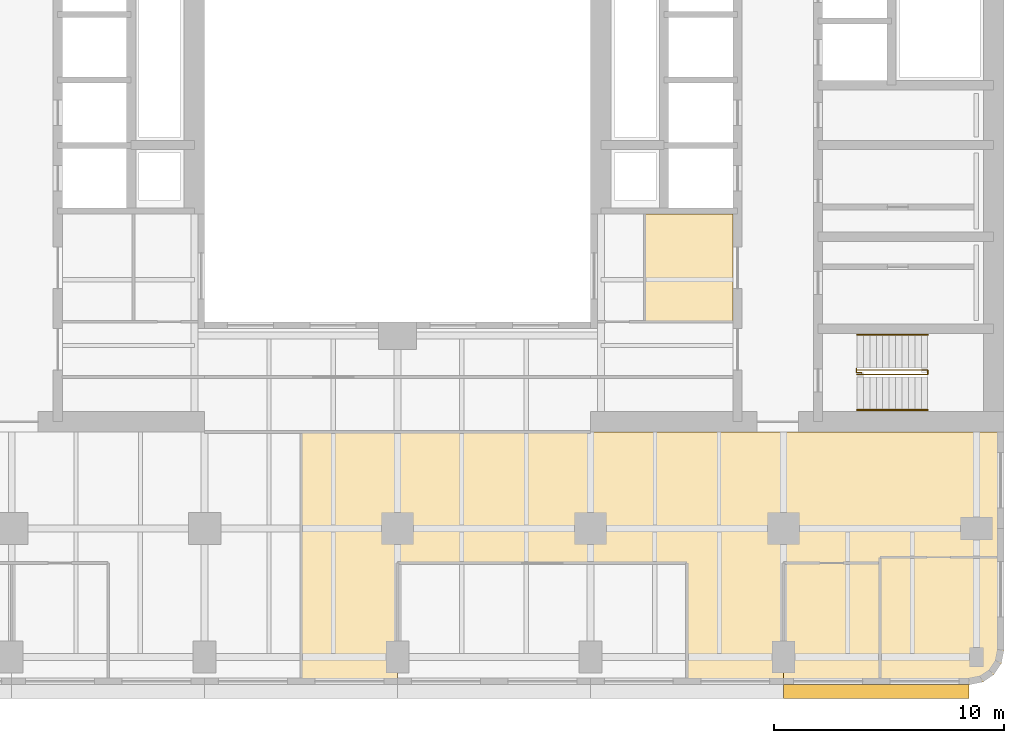
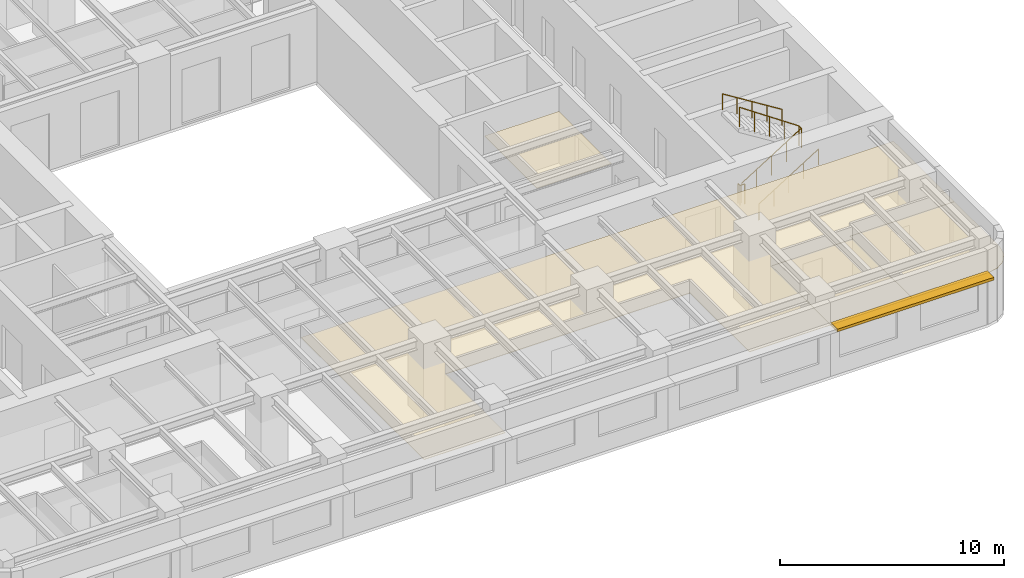
# One storey, part 10 of 11: 4 coverings, 4 railings, 1 shading device.
"""IFC4 building model written with IfcOpenShell, lengths in metres."""

from ifc_helpers import new_model, si_unit, direction, frame, origin, origin_2d, place, context, subcontext, project, spatial, polyline, rectangle, circle, outline, extrude, material, layer, layer_set, type_object, element, save


model = new_model("IFC4")

# Units and contexts
model_context = context("Model", 3, precision=1e-05, world=origin(), true_north=direction((0.0, 1.0)))
body_context = subcontext(model_context, "Body", "Model", "MODEL_VIEW")
ifc_project = project(units=[si_unit("LENGTHUNIT", "METRE"), si_unit("AREAUNIT", "SQUARE_METRE"), si_unit("VOLUMEUNIT", "CUBIC_METRE"), si_unit("PLANEANGLEUNIT", "RADIAN"), si_unit("MASSUNIT", "GRAM", prefix="KILO")], contexts=[model_context])

# Site, building, storey
site_placement = place(None, origin())
site = spatial("IfcSite", under=ifc_project, at=site_placement, CompositionType="ELEMENT")
building_placement = place(site_placement, origin())
building = spatial("IfcBuilding", under=site, at=building_placement, Name="Claustro Exchange Tower", CompositionType="ELEMENT")
storey_placement = place(building_placement, frame((0.0, 0.0, 142.800048828125)))
storey = spatial("IfcBuildingStorey", under=building, at=storey_placement, Name="L32", CompositionType="ELEMENT", Elevation=142.800048828125)

# Coverings
ifc_material_1 = material(Name="Gypsum board ceiling", Category="gypsum board")
ifc_layer_1 = layer(ifc_material_1, 0.02490234375)
ifc_layer_set_1 = layer_set([ifc_layer_1], Name="Gypsum board ceiling")
covering_type = type_object("IfcCoveringType", Name="CL2 plasterboard ceiling", PredefinedType="CEILING", material=ifc_layer_set_1)
covering_1_placement = place(storey_placement, frame((0.0, 0.0, 2.800048828125)))
element("IfcCovering", 1, at=covering_1_placement, inside=storey, type_object=covering_type, Name="Ceiling CL2 L32-04", PredefinedType="CEILING", context=body_context, shape_type="SweptSolid", body=[
    extrude(outline(polyline([(42.0, 1.60009765625), (46.199951171875, 1.60009765625), (46.199951171875, 6.89990234375), (42.0, 6.89990234375), (42.0, 1.60009765625)])), origin(), (0.0, 0.0, 1.0), 0.02490234375),
])
covering_2_placement = place(storey_placement, frame((0.0, 0.0, 2.800048828125)))
element("IfcCovering", 2, at=covering_2_placement, inside=storey, type_object=covering_type, Name="Ceiling CL2 L32-06", PredefinedType="CEILING", context=body_context, shape_type="SweptSolid", body=[
    extrude(outline(polyline([(51.60009765625, 3.10009765625), (51.60009765625, 7.14990234375), (46.199951171875, 7.14990234375), (46.199951171875, 1.60009765625), (50.10009765625, 1.60009765625), (50.674072265625, 1.714111328125), (51.16064453125, 2.039306640625), (51.48583984375, 2.52587890625), (51.60009765625, 3.10009765625)])), origin(), (0.0, 0.0, 1.0), 0.02490234375),
])
covering_3_placement = place(storey_placement, frame((0.0, 0.0, 2.800048828125)))
element("IfcCovering", 3, at=covering_3_placement, inside=storey, type_object=covering_type, Name="Ceiling CL2 L32-08", PredefinedType="CEILING", context=body_context, shape_type="SweptSolid", body=[
    extrude(outline(polyline([(51.60009765625, 12.60009765625), (39.800048828125, 12.60009765625), (21.0, 12.60009765625), (21.0, 1.60009765625), (25.199951171875, 1.60009765625), (25.199951171875, 6.89990234375), (37.800048828125, 6.89990234375), (37.800048828125, 1.60009765625), (42.0, 1.60009765625), (42.0, 6.89990234375), (46.199951171875, 6.89990234375), (46.199951171875, 7.14990234375), (51.60009765625, 7.14990234375), (51.60009765625, 12.60009765625)])), origin(), (0.0, 0.0, 1.0), 0.02490234375),
])
covering_4_placement = place(storey_placement, frame((0.0, 0.0, 2.800048828125)))
element("IfcCovering", 4, at=covering_4_placement, inside=storey, type_object=covering_type, Name="Ceiling CL2 L32-14", PredefinedType="CEILING", context=body_context, shape_type="SweptSolid", body=[
    extrude(outline(polyline([(39.800048828125, 17.39990234375), (39.800048828125, 22.10009765625), (35.9560546875, 22.10009765625), (35.9560546875, 17.39990234375), (39.800048828125, 17.39990234375)])), origin(), (0.0, 0.0, 1.0), 0.02490234375),
])

# Railings
ifc_material_2 = material(Name="Steel balustrade, painted", Category="steel")
railing_type_1 = type_object("IfcRailingType", Name="GR2 1100 steel stair guard", PredefinedType="GUARDRAIL", material=ifc_material_2)
railing_1_placement = place(storey_placement, frame((45.199951171875, 15.10009765625, 0.175048828125)))
element("IfcRailing", 5, at=railing_1_placement, inside=storey, type_object=railing_type_1, Name="Stair well guard GR2 stair STEA L32", PredefinedType="GUARDRAIL", context=body_context, shape_type="SweptSolid", body=[
    extrude(circle(Radius=0.02392578125, at=origin_2d()), frame((0.0, 0.0, 1.076171875), z_axis=(0.848028513186, 0.0, 0.529950602248), x_axis=(0.0, 1.0, 0.0)), (0.0, 0.0, 1.0), 3.632080078125),
    extrude(circle(Radius=0.02392578125, at=origin_2d()), frame((3.080078125, 0.0, 3.0009765625), z_axis=(0.0, 1.0, 0.0), x_axis=(-1.0, 0.0, 0.0)), (0.0, 0.0, 1.0), 0.199951171875),
    extrude(circle(Radius=0.02392578125, at=origin_2d()), frame((3.080078125, 0.199951171875, 3.0009765625), z_axis=(-0.826221800596, 0.0, 0.563344953133), x_axis=(0.0, -1.0, 0.0)), (0.0, 0.0, 1.0), 3.72802734375),
    extrude(circle(Radius=0.02099609375, at=origin_2d()), origin(), (0.0, 0.0, 1.0), 1.052001953125),
    extrude(circle(Radius=0.02099609375, at=origin_2d()), frame((0.77001953125, 0.0, 0.481201171875)), (0.0, 0.0, 1.0), 1.052001953125),
    extrude(circle(Radius=0.02099609375, at=origin_2d()), frame((1.5400390625, 0.0, 0.96240234375)), (0.0, 0.0, 1.0), 1.052001953125),
    extrude(circle(Radius=0.02099609375, at=origin_2d()), frame((2.31005859375, 0.0, 1.443603515625)), (0.0, 0.0, 1.0), 1.052001953125),
    extrude(circle(Radius=0.02099609375, at=origin_2d()), frame((3.080078125, 0.0, 1.9248046875)), (0.0, 0.0, 1.0), 1.052001953125),
    extrude(circle(Radius=0.02099609375, at=origin_2d()), frame((3.080078125, 0.199951171875, 1.9248046875)), (0.0, 0.0, 1.0), 1.052001953125),
    extrude(circle(Radius=0.02099609375, at=origin_2d()), frame((2.31005859375, 0.199951171875, 2.44970703125)), (0.0, 0.0, 1.0), 1.052001953125),
    extrude(circle(Radius=0.02099609375, at=origin_2d()), frame((1.5400390625, 0.199951171875, 2.974853515625)), (0.0, 0.0, 1.0), 1.052001953125),
    extrude(circle(Radius=0.02099609375, at=origin_2d()), frame((0.77001953125, 0.199951171875, 3.5)), (0.0, 0.0, 1.0), 1.052001953125),
    extrude(circle(Radius=0.02099609375, at=origin_2d()), frame((0.0, 0.199951171875, 4.02490234375)), (0.0, 0.0, 1.0), 1.052001953125),
])
railing_2_placement = place(storey_placement, frame((45.39990234375, 15.169921875, 0.0)))
element("IfcRailing", 6, at=railing_2_placement, inside=storey, type_object=railing_type_1, Name="Stair guard GR2 STEA L32", PredefinedType="GUARDRAIL", context=body_context, shape_type="SweptSolid", body=[
    extrude(circle(Radius=0.02392578125, at=origin_2d()), frame((0.0, 0.0, 1.076171875), z_axis=(0.0, 1.0, 0.0), x_axis=(-1.0, 0.0, 0.0)), (0.0, 0.0, 1.0), 0.030029296875),
    extrude(circle(Radius=0.02392578125, at=origin_2d()), frame((0.0, 0.030029296875, 1.076171875), z_axis=(-1.0, 0.0, 0.0), x_axis=(0.0, -1.0, 0.0)), (0.0, 0.0, 1.0), 0.224853515625),
    extrude(circle(Radius=0.02392578125, at=origin_2d()), frame((-0.224853515625, 0.030029296875, 1.076171875), z_axis=(0.0, 1.0, 0.0), x_axis=(-1.0, 0.0, 0.0)), (0.0, 0.0, 1.0), 0.179931640625),
    extrude(circle(Radius=0.02099609375, at=origin_2d()), origin(), (0.0, 0.0, 1.0), 1.052001953125),
    extrude(circle(Radius=0.02099609375, at=origin_2d()), frame((0.0, 0.030029296875, 0.0)), (0.0, 0.0, 1.0), 1.052001953125),
    extrude(circle(Radius=0.02099609375, at=origin_2d()), frame((-0.224853515625, 0.030029296875, 0.0)), (0.0, 0.0, 1.0), 1.052001953125),
    extrude(circle(Radius=0.02099609375, at=origin_2d()), frame((-0.224853515625, 0.2099609375, 0.0)), (0.0, 0.0, 1.0), 1.052001953125),
])
ifc_material_3 = material(Name="Stainless steel tube", Category="steel")
railing_type_2 = type_object("IfcRailingType", Name="HR1 900 stair handrail", PredefinedType="HANDRAIL", material=ifc_material_3)
railing_3_placement = place(storey_placement, frame((45.199951171875, 13.56005859375, 0.175048828125)))
element("IfcRailing", 7, at=railing_3_placement, inside=storey, type_object=railing_type_2, Name="Handrail HR1 stair STEA L32", PredefinedType="HANDRAIL", context=body_context, shape_type="SweptSolid", body=[
    extrude(circle(Radius=0.02392578125, at=origin_2d()), frame((0.0, 0.0, 0.8759765625), z_axis=(0.848028513186, 0.0, 0.529950602248), x_axis=(0.0, 1.0, 0.0)), (0.0, 0.0, 1.0), 3.632080078125),
    extrude(circle(Radius=0.02099609375, at=origin_2d()), origin(), (0.0, 0.0, 1.0), 0.851806640625),
    extrude(circle(Radius=0.02099609375, at=origin_2d()), frame((0.77001953125, 0.0, 0.481201171875)), (0.0, 0.0, 1.0), 0.851806640625),
    extrude(circle(Radius=0.02099609375, at=origin_2d()), frame((1.5400390625, 0.0, 0.96240234375)), (0.0, 0.0, 1.0), 0.851806640625),
    extrude(circle(Radius=0.02099609375, at=origin_2d()), frame((2.31005859375, 0.0, 1.443603515625)), (0.0, 0.0, 1.0), 0.851806640625),
    extrude(circle(Radius=0.02099609375, at=origin_2d()), frame((3.080078125, 0.0, 1.9248046875)), (0.0, 0.0, 1.0), 0.851806640625),
])
railing_4_placement = place(storey_placement, frame((48.280029296875, 16.840087890625, 2.27490234375)))
element("IfcRailing", 8, at=railing_4_placement, inside=storey, type_object=railing_type_2, Name="Handrail HR1 stair STEA L32", PredefinedType="HANDRAIL", context=body_context, shape_type="SweptSolid", body=[
    extrude(circle(Radius=0.02392578125, at=origin_2d()), frame((0.0, 0.0, 0.8759765625), z_axis=(-0.847998304005, 0.0, 0.529998940003), x_axis=(0.0, -1.0, 0.0)), (0.0, 0.0, 1.0), 3.632080078125),
    extrude(circle(Radius=0.02099609375, at=origin_2d()), origin(), (0.0, 0.0, 1.0), 0.851806640625),
    extrude(circle(Radius=0.02099609375, at=origin_2d()), frame((-0.77001953125, 0.0, 0.481201171875)), (0.0, 0.0, 1.0), 0.851806640625),
    extrude(circle(Radius=0.02099609375, at=origin_2d()), frame((-1.5400390625, 0.0, 0.96240234375)), (0.0, 0.0, 1.0), 0.851806640625),
    extrude(circle(Radius=0.02099609375, at=origin_2d()), frame((-2.31005859375, 0.0, 1.44384765625)), (0.0, 0.0, 1.0), 0.851806640625),
    extrude(circle(Radius=0.02099609375, at=origin_2d()), frame((-3.080078125, 0.0, 1.925048828125)), (0.0, 0.0, 1.0), 0.851806640625),
])

# Shading device
ifc_material_4 = material(Name="Concrete HA-40 (C40/50), precast, white cement, acid-etched", Category="concrete")
ifc_layer_2 = layer(ifc_material_4, 0.14990234375)
ifc_layer_set_2 = layer_set([ifc_layer_2], Name="Concrete HA-40 (C40/50), precast, white cement, acid-etched")
shading_device_type = type_object("IfcShadingDeviceType", Name="SS1 600 precast concrete SUNSHADE", PredefinedType="SHUTTER", material=ifc_layer_set_2)
shading_device_placement = place(storey_placement, frame((46.04248046875, 1.300048828125, 2.800048828125), z_axis=(0.0, 0.0, 1.0), x_axis=(-1.0, 0.0, 0.0)))
element("IfcShadingDevice", 9, at=shading_device_placement, inside=storey, type_object=shading_device_type, Name="Precast SUNSHADE SS1 L32", PredefinedType="SHUTTER", context=body_context, shape_type="SweptSolid", body=[
    extrude(rectangle(XDim=8.085205078125, YDim=0.60009765625, at=origin_2d()), origin(), (0.0, 0.0, 1.0), 0.14990234375),
])

save(model, "model.ifc")
